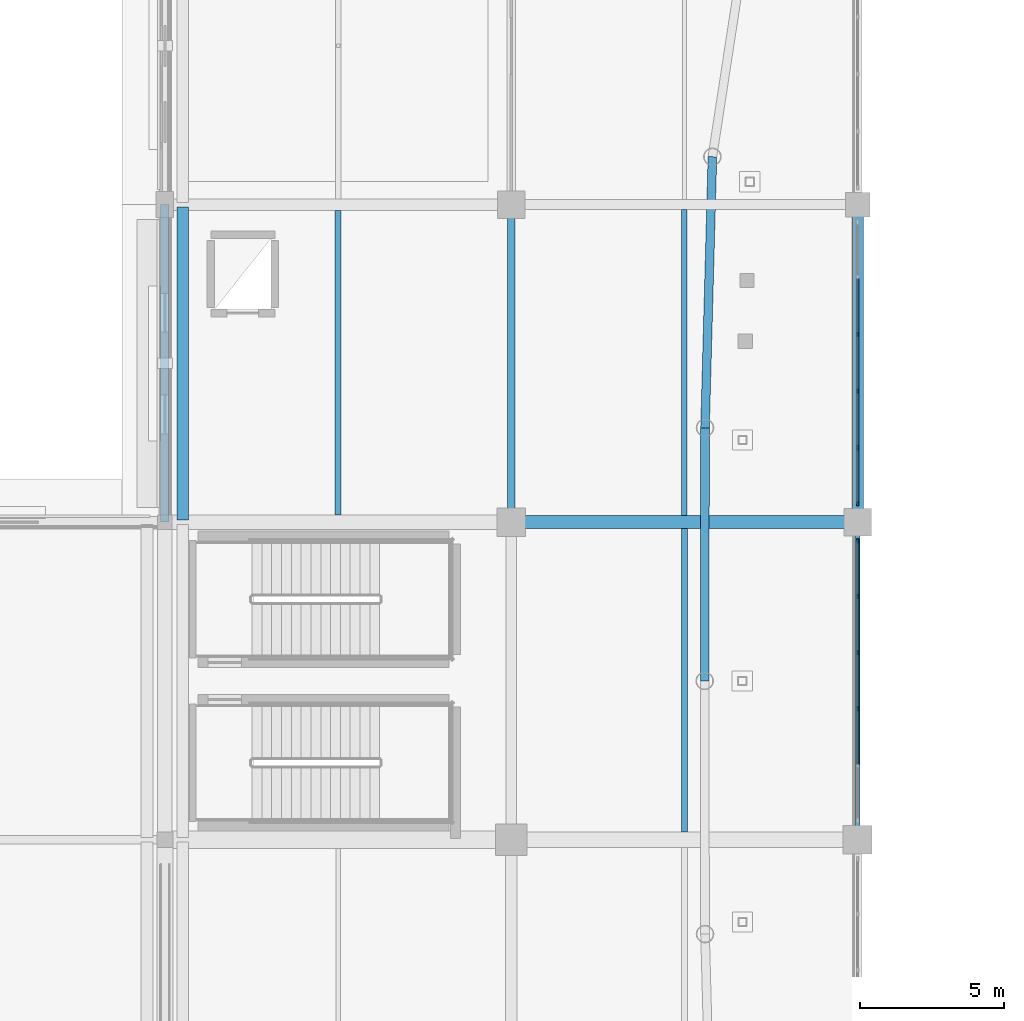
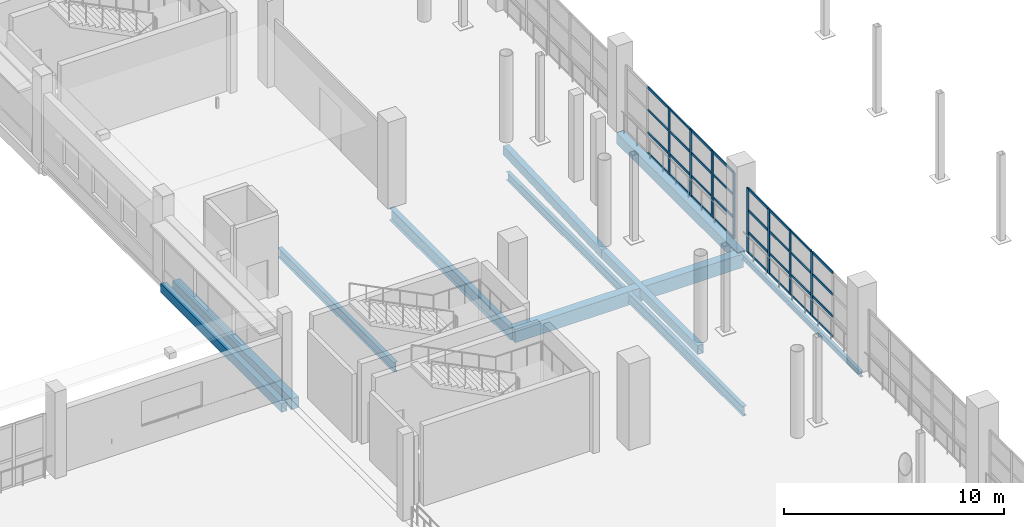
# One storey, part 31 of 143: 40 members, 11 beams, 2 elements without a shape of their own.
"""IFC4 building model written with IfcOpenShell, lengths in metres."""

from ifc_helpers import new_model, si_unit, direction, frame, origin, origin_2d, place, context, subcontext, project, spatial, rectangle, hollow_rectangle, i_section, extrude, material, material_profile, profile_set, type_object, element, aggregate, save


model = new_model("IFC4")

# Units and contexts
model_context = context("Model", 3, precision=1e-05, world=origin(), true_north=direction((0.0, 1.0)))
body_context = subcontext(model_context, "Body", "Model", "MODEL_VIEW")
ifc_project = project(units=[si_unit("LENGTHUNIT", "METRE"), si_unit("AREAUNIT", "SQUARE_METRE"), si_unit("VOLUMEUNIT", "CUBIC_METRE"), si_unit("PLANEANGLEUNIT", "RADIAN"), si_unit("MASSUNIT", "GRAM", prefix="KILO")], contexts=[model_context])

# Site, building, storey
site_placement = place(None, origin())
site = spatial("IfcSite", under=ifc_project, at=site_placement, CompositionType="ELEMENT")
building_placement = place(site_placement, origin())
building = spatial("IfcBuilding", under=site, at=building_placement, Name="Luwafu Chhajja Arena", CompositionType="ELEMENT")
storey_placement = place(building_placement, frame((0.0, 0.0, 5.39990234375)))
storey = spatial("IfcBuildingStorey", under=building, at=storey_placement, Name="L01", CompositionType="ELEMENT", Elevation=5.39990234375)

# Curtain wall, members
ifc_material_1 = material(Name="Anodised bronze aluminium", Category="aluminium")
curtain_wall_type = type_object("IfcCurtainWallType", Name="Bowl Concourse Chord Curtain Wall", PredefinedType="USERDEFINED", material=ifc_material_1)
curtain_wall_1_placement = place(storey_placement, origin())
curtain_wall_1 = element("IfcCurtainWall", 1, at=curtain_wall_1_placement, inside=storey, type_object=curtain_wall_type, Name="L01 Bowl Viewing Curtain Wall CWR-L01-17", ObjectType="CURTAIN WALL", PredefinedType="USERDEFINED")
ifc_material_profile_1 = material_profile(ifc_material_1, rectangle(XDim=0.06005859375, YDim=0.159912109375, at=origin_2d()), Name="CWM 60x160")
ifc_profile_set_1 = profile_set([ifc_material_profile_1], Name="Anodised bronze aluminium")
member_type_1 = type_object("IfcMemberType", Name="Bronze Curtain Wall Mullion 60x160", PredefinedType="MULLION", material=ifc_profile_set_1)
member_1_placement = place(storey_placement, frame((58.0, 48.5380859375, 0.0), z_axis=(0.0, 0.0, 1.0), x_axis=(-1.0, 0.0, 0.0)))
member_1 = element("IfcMember", 2, at=member_1_placement, type_object=member_type_1, Name="CW-01 mullion 3", PredefinedType="MULLION", context=body_context, shape_type="SweptSolid", body=[
    extrude(rectangle(XDim=0.06005859375, YDim=0.159912109375, at=origin_2d()), origin(), (0.0, 0.0, 1.0), 3.590087890625),
])
member_2_placement = place(storey_placement, frame((58.0, 50.487060546875, 0.0), z_axis=(0.0, 0.0, 1.0), x_axis=(-1.0, 0.0, 0.0)))
member_2 = element("IfcMember", 3, at=member_2_placement, type_object=member_type_1, Name="CW-01 mullion 4", PredefinedType="MULLION", context=body_context, shape_type="SweptSolid", body=[
    extrude(rectangle(XDim=0.06005859375, YDim=0.159912109375, at=origin_2d()), origin(), (0.0, 0.0, 1.0), 3.590087890625),
])
member_3_placement = place(storey_placement, frame((58.0, 52.43603515625, 0.0), z_axis=(0.0, 0.0, 1.0), x_axis=(-1.0, 0.0, 0.0)))
member_3 = element("IfcMember", 4, at=member_3_placement, type_object=member_type_1, Name="CW-01 mullion 5", PredefinedType="MULLION", context=body_context, shape_type="SweptSolid", body=[
    extrude(rectangle(XDim=0.06005859375, YDim=0.159912109375, at=origin_2d()), origin(), (0.0, 0.0, 1.0), 3.590087890625),
])
member_4_placement = place(storey_placement, frame((58.0, 54.35498046875, 0.0), z_axis=(0.0, 0.0, 1.0), x_axis=(-1.0, 0.0, 0.0)))
member_4 = element("IfcMember", 5, at=member_4_placement, type_object=member_type_1, Name="CW-01 mullion 6", PredefinedType="MULLION", context=body_context, shape_type="SweptSolid", body=[
    extrude(rectangle(XDim=0.06005859375, YDim=0.159912109375, at=origin_2d()), origin(), (0.0, 0.0, 1.0), 3.590087890625),
])

curtain_wall_2_placement = place(storey_placement, origin())
curtain_wall_2 = element("IfcCurtainWall", 6, at=curtain_wall_2_placement, inside=storey, type_object=curtain_wall_type, Name="L01 Bowl Viewing Curtain Wall CWR-L01-18", ObjectType="CURTAIN WALL", PredefinedType="USERDEFINED")
member_5_placement = place(storey_placement, frame((58.0, 55.64501953125, 0.0), z_axis=(0.0, 0.0, 1.0), x_axis=(-1.0, 0.0, 0.0)))
member_5 = element("IfcMember", 7, at=member_5_placement, type_object=member_type_1, Name="CW-01 mullion 1", PredefinedType="MULLION", context=body_context, shape_type="SweptSolid", body=[
    extrude(rectangle(XDim=0.06005859375, YDim=0.159912109375, at=origin_2d()), origin(), (0.0, 0.0, 1.0), 3.690185546875),
])
member_6_placement = place(storey_placement, frame((58.0, 57.5791015625, 0.0), z_axis=(0.0, 0.0, 1.0), x_axis=(-1.0, 0.0, 0.0)))
member_6 = element("IfcMember", 8, at=member_6_placement, type_object=member_type_1, Name="CW-01 mullion 2", PredefinedType="MULLION", context=body_context, shape_type="SweptSolid", body=[
    extrude(rectangle(XDim=0.06005859375, YDim=0.159912109375, at=origin_2d()), origin(), (0.0, 0.0, 1.0), 3.690185546875),
])
member_7_placement = place(storey_placement, frame((58.0, 59.54296875, 0.0), z_axis=(0.0, 0.0, 1.0), x_axis=(-1.0, 0.0, 0.0)))
member_7 = element("IfcMember", 9, at=member_7_placement, type_object=member_type_1, Name="CW-01 mullion 3", PredefinedType="MULLION", context=body_context, shape_type="SweptSolid", body=[
    extrude(rectangle(XDim=0.06005859375, YDim=0.159912109375, at=origin_2d()), origin(), (0.0, 0.0, 1.0), 3.690185546875),
])
member_8_placement = place(storey_placement, frame((58.0, 61.507080078125, 0.0), z_axis=(0.0, 0.0, 1.0), x_axis=(-1.0, 0.0, 0.0)))
member_8 = element("IfcMember", 10, at=member_8_placement, type_object=member_type_1, Name="CW-01 mullion 4", PredefinedType="MULLION", context=body_context, shape_type="SweptSolid", body=[
    extrude(rectangle(XDim=0.06005859375, YDim=0.159912109375, at=origin_2d()), origin(), (0.0, 0.0, 1.0), 3.690185546875),
])

# Member
ifc_material_profile_2 = material_profile(ifc_material_1, rectangle(XDim=0.06005859375, YDim=0.1298828125, at=origin_2d()), Name="CWT 60x130")
ifc_profile_set_2 = profile_set([ifc_material_profile_2], Name="Anodised bronze aluminium")
member_type_2 = type_object("IfcMemberType", Name="Bronze Curtain Wall Transom 60x130", PredefinedType="USERDEFINED", material=ifc_profile_set_2)
member_9_placement = place(storey_placement, frame((58.0, 46.618896484375, 0.030029296875), z_axis=(0.0, 1.0, 0.0), x_axis=(-1.0, 0.0, 0.0)))
member_9 = element("IfcMember", 11, at=member_9_placement, type_object=member_type_2, Name="CW-01 transom 2.1", ObjectType="TRANSOM", PredefinedType="USERDEFINED", context=body_context, shape_type="SweptSolid", body=[
    extrude(rectangle(XDim=0.06005859375, YDim=0.1298828125, at=origin_2d()), origin(), (0.0, 0.0, 1.0), 1.88916015625),
])

member_10_placement = place(storey_placement, frame((58.0, 46.618896484375, 1.150146484375), z_axis=(0.0, 1.0, 0.0), x_axis=(-1.0, 0.0, 0.0)))
member_10 = element("IfcMember", 12, at=member_10_placement, type_object=member_type_2, Name="CW-01 transom 2.2", ObjectType="TRANSOM", PredefinedType="USERDEFINED", context=body_context, shape_type="SweptSolid", body=[
    extrude(rectangle(XDim=0.06005859375, YDim=0.1298828125, at=origin_2d()), origin(), (0.0, 0.0, 1.0), 1.88916015625),
])

member_11_placement = place(storey_placement, frame((58.0, 46.618896484375, 2.3701171875), z_axis=(0.0, 1.0, 0.0), x_axis=(-1.0, 0.0, 0.0)))
member_11 = element("IfcMember", 13, at=member_11_placement, type_object=member_type_2, Name="CW-01 transom 2.3", ObjectType="TRANSOM", PredefinedType="USERDEFINED", context=body_context, shape_type="SweptSolid", body=[
    extrude(rectangle(XDim=0.06005859375, YDim=0.1298828125, at=origin_2d()), origin(), (0.0, 0.0, 1.0), 1.88916015625),
])

member_12_placement = place(storey_placement, frame((58.0, 46.618896484375, 3.56005859375), z_axis=(0.0, 1.0, 0.0), x_axis=(-1.0, 0.0, 0.0)))
member_12 = element("IfcMember", 14, at=member_12_placement, type_object=member_type_2, Name="CW-01 transom 2.4", ObjectType="TRANSOM", PredefinedType="USERDEFINED", context=body_context, shape_type="SweptSolid", body=[
    extrude(rectangle(XDim=0.06005859375, YDim=0.1298828125, at=origin_2d()), origin(), (0.0, 0.0, 1.0), 1.88916015625),
])

member_13_placement = place(storey_placement, frame((58.0, 48.568115234375, 0.030029296875), z_axis=(0.0, 1.0, 0.0), x_axis=(-1.0, 0.0, 0.0)))
member_13 = element("IfcMember", 15, at=member_13_placement, type_object=member_type_2, Name="CW-01 transom 3.1", ObjectType="TRANSOM", PredefinedType="USERDEFINED", context=body_context, shape_type="SweptSolid", body=[
    extrude(rectangle(XDim=0.06005859375, YDim=0.1298828125, at=origin_2d()), origin(), (0.0, 0.0, 1.0), 1.888916015625),
])

member_14_placement = place(storey_placement, frame((58.0, 48.568115234375, 1.150146484375), z_axis=(0.0, 1.0, 0.0), x_axis=(-1.0, 0.0, 0.0)))
member_14 = element("IfcMember", 16, at=member_14_placement, type_object=member_type_2, Name="CW-01 transom 3.2", ObjectType="TRANSOM", PredefinedType="USERDEFINED", context=body_context, shape_type="SweptSolid", body=[
    extrude(rectangle(XDim=0.06005859375, YDim=0.1298828125, at=origin_2d()), origin(), (0.0, 0.0, 1.0), 1.888916015625),
])

member_15_placement = place(storey_placement, frame((58.0, 48.568115234375, 2.3701171875), z_axis=(0.0, 1.0, 0.0), x_axis=(-1.0, 0.0, 0.0)))
member_15 = element("IfcMember", 17, at=member_15_placement, type_object=member_type_2, Name="CW-01 transom 3.3", ObjectType="TRANSOM", PredefinedType="USERDEFINED", context=body_context, shape_type="SweptSolid", body=[
    extrude(rectangle(XDim=0.06005859375, YDim=0.1298828125, at=origin_2d()), origin(), (0.0, 0.0, 1.0), 1.888916015625),
])

member_16_placement = place(storey_placement, frame((58.0, 48.568115234375, 3.56005859375), z_axis=(0.0, 1.0, 0.0), x_axis=(-1.0, 0.0, 0.0)))
member_16 = element("IfcMember", 18, at=member_16_placement, type_object=member_type_2, Name="CW-01 transom 3.4", ObjectType="TRANSOM", PredefinedType="USERDEFINED", context=body_context, shape_type="SweptSolid", body=[
    extrude(rectangle(XDim=0.06005859375, YDim=0.1298828125, at=origin_2d()), origin(), (0.0, 0.0, 1.0), 1.888916015625),
])

member_17_placement = place(storey_placement, frame((58.0, 50.51708984375, 0.030029296875), z_axis=(0.0, 1.0, 0.0), x_axis=(-1.0, 0.0, 0.0)))
member_17 = element("IfcMember", 19, at=member_17_placement, type_object=member_type_2, Name="CW-01 transom 4.1", ObjectType="TRANSOM", PredefinedType="USERDEFINED", context=body_context, shape_type="SweptSolid", body=[
    extrude(rectangle(XDim=0.06005859375, YDim=0.1298828125, at=origin_2d()), origin(), (0.0, 0.0, 1.0), 1.888916015625),
])

member_18_placement = place(storey_placement, frame((58.0, 50.51708984375, 1.150146484375), z_axis=(0.0, 1.0, 0.0), x_axis=(-1.0, 0.0, 0.0)))
member_18 = element("IfcMember", 20, at=member_18_placement, type_object=member_type_2, Name="CW-01 transom 4.2", ObjectType="TRANSOM", PredefinedType="USERDEFINED", context=body_context, shape_type="SweptSolid", body=[
    extrude(rectangle(XDim=0.06005859375, YDim=0.1298828125, at=origin_2d()), origin(), (0.0, 0.0, 1.0), 1.888916015625),
])

member_19_placement = place(storey_placement, frame((58.0, 50.51708984375, 2.3701171875), z_axis=(0.0, 1.0, 0.0), x_axis=(-1.0, 0.0, 0.0)))
member_19 = element("IfcMember", 21, at=member_19_placement, type_object=member_type_2, Name="CW-01 transom 4.3", ObjectType="TRANSOM", PredefinedType="USERDEFINED", context=body_context, shape_type="SweptSolid", body=[
    extrude(rectangle(XDim=0.06005859375, YDim=0.1298828125, at=origin_2d()), origin(), (0.0, 0.0, 1.0), 1.888916015625),
])

member_20_placement = place(storey_placement, frame((58.0, 50.51708984375, 3.56005859375), z_axis=(0.0, 1.0, 0.0), x_axis=(-1.0, 0.0, 0.0)))
member_20 = element("IfcMember", 22, at=member_20_placement, type_object=member_type_2, Name="CW-01 transom 4.4", ObjectType="TRANSOM", PredefinedType="USERDEFINED", context=body_context, shape_type="SweptSolid", body=[
    extrude(rectangle(XDim=0.06005859375, YDim=0.1298828125, at=origin_2d()), origin(), (0.0, 0.0, 1.0), 1.888916015625),
])

member_21_placement = place(storey_placement, frame((58.0, 52.466064453125, 0.030029296875), z_axis=(0.0, 1.0, 0.0), x_axis=(-1.0, 0.0, 0.0)))
member_21 = element("IfcMember", 23, at=member_21_placement, type_object=member_type_2, Name="CW-01 transom 5.1", ObjectType="TRANSOM", PredefinedType="USERDEFINED", context=body_context, shape_type="SweptSolid", body=[
    extrude(rectangle(XDim=0.06005859375, YDim=0.1298828125, at=origin_2d()), origin(), (0.0, 0.0, 1.0), 1.85888671875),
])

member_22_placement = place(storey_placement, frame((58.0, 52.466064453125, 1.150146484375), z_axis=(0.0, 1.0, 0.0), x_axis=(-1.0, 0.0, 0.0)))
member_22 = element("IfcMember", 24, at=member_22_placement, type_object=member_type_2, Name="CW-01 transom 5.2", ObjectType="TRANSOM", PredefinedType="USERDEFINED", context=body_context, shape_type="SweptSolid", body=[
    extrude(rectangle(XDim=0.06005859375, YDim=0.1298828125, at=origin_2d()), origin(), (0.0, 0.0, 1.0), 1.85888671875),
])

member_23_placement = place(storey_placement, frame((58.0, 52.466064453125, 2.3701171875), z_axis=(0.0, 1.0, 0.0), x_axis=(-1.0, 0.0, 0.0)))
member_23 = element("IfcMember", 25, at=member_23_placement, type_object=member_type_2, Name="CW-01 transom 5.3", ObjectType="TRANSOM", PredefinedType="USERDEFINED", context=body_context, shape_type="SweptSolid", body=[
    extrude(rectangle(XDim=0.06005859375, YDim=0.1298828125, at=origin_2d()), origin(), (0.0, 0.0, 1.0), 1.85888671875),
])

member_24_placement = place(storey_placement, frame((58.0, 52.466064453125, 3.56005859375), z_axis=(0.0, 1.0, 0.0), x_axis=(-1.0, 0.0, 0.0)))
member_24 = element("IfcMember", 26, at=member_24_placement, type_object=member_type_2, Name="CW-01 transom 5.4", ObjectType="TRANSOM", PredefinedType="USERDEFINED", context=body_context, shape_type="SweptSolid", body=[
    extrude(rectangle(XDim=0.06005859375, YDim=0.1298828125, at=origin_2d()), origin(), (0.0, 0.0, 1.0), 1.85888671875),
])

aggregate(curtain_wall_1, [member_1, member_2, member_3, member_4, member_9, member_10, member_11, member_12, member_13, member_14, member_15, member_16, member_17, member_18, member_19, member_20, member_21, member_22, member_23, member_24])

member_25_placement = place(storey_placement, frame((58.0, 55.675048828125, 0.030029296875), z_axis=(0.0, 1.0, 0.0), x_axis=(-1.0, 0.0, 0.0)))
member_25 = element("IfcMember", 27, at=member_25_placement, type_object=member_type_2, Name="CW-01 transom 1.1", ObjectType="TRANSOM", PredefinedType="USERDEFINED", context=body_context, shape_type="SweptSolid", body=[
    extrude(rectangle(XDim=0.06005859375, YDim=0.1298828125, at=origin_2d()), origin(), (0.0, 0.0, 1.0), 1.8740234375),
])

member_26_placement = place(storey_placement, frame((58.0, 55.675048828125, 1.150146484375), z_axis=(0.0, 1.0, 0.0), x_axis=(-1.0, 0.0, 0.0)))
member_26 = element("IfcMember", 28, at=member_26_placement, type_object=member_type_2, Name="CW-01 transom 1.2", ObjectType="TRANSOM", PredefinedType="USERDEFINED", context=body_context, shape_type="SweptSolid", body=[
    extrude(rectangle(XDim=0.06005859375, YDim=0.1298828125, at=origin_2d()), origin(), (0.0, 0.0, 1.0), 1.8740234375),
])

member_27_placement = place(storey_placement, frame((58.0, 55.675048828125, 2.420166015625), z_axis=(0.0, 1.0, 0.0), x_axis=(-1.0, 0.0, 0.0)))
member_27 = element("IfcMember", 29, at=member_27_placement, type_object=member_type_2, Name="CW-01 transom 1.3", ObjectType="TRANSOM", PredefinedType="USERDEFINED", context=body_context, shape_type="SweptSolid", body=[
    extrude(rectangle(XDim=0.06005859375, YDim=0.1298828125, at=origin_2d()), origin(), (0.0, 0.0, 1.0), 1.8740234375),
])

member_28_placement = place(storey_placement, frame((58.0, 55.675048828125, 3.66015625), z_axis=(0.0, 1.0, 0.0), x_axis=(-1.0, 0.0, 0.0)))
member_28 = element("IfcMember", 30, at=member_28_placement, type_object=member_type_2, Name="CW-01 transom 1.4", ObjectType="TRANSOM", PredefinedType="USERDEFINED", context=body_context, shape_type="SweptSolid", body=[
    extrude(rectangle(XDim=0.06005859375, YDim=0.1298828125, at=origin_2d()), origin(), (0.0, 0.0, 1.0), 1.8740234375),
])

member_29_placement = place(storey_placement, frame((58.0, 57.60888671875, 0.030029296875), z_axis=(0.0, 1.0, 0.0), x_axis=(-1.0, 0.0, 0.0)))
member_29 = element("IfcMember", 31, at=member_29_placement, type_object=member_type_2, Name="CW-01 transom 2.1", ObjectType="TRANSOM", PredefinedType="USERDEFINED", context=body_context, shape_type="SweptSolid", body=[
    extrude(rectangle(XDim=0.06005859375, YDim=0.1298828125, at=origin_2d()), origin(), (0.0, 0.0, 1.0), 1.904052734375),
])

member_30_placement = place(storey_placement, frame((58.0, 57.60888671875, 1.150146484375), z_axis=(0.0, 1.0, 0.0), x_axis=(-1.0, 0.0, 0.0)))
member_30 = element("IfcMember", 32, at=member_30_placement, type_object=member_type_2, Name="CW-01 transom 2.2", ObjectType="TRANSOM", PredefinedType="USERDEFINED", context=body_context, shape_type="SweptSolid", body=[
    extrude(rectangle(XDim=0.06005859375, YDim=0.1298828125, at=origin_2d()), origin(), (0.0, 0.0, 1.0), 1.904052734375),
])

member_31_placement = place(storey_placement, frame((58.0, 57.60888671875, 2.420166015625), z_axis=(0.0, 1.0, 0.0), x_axis=(-1.0, 0.0, 0.0)))
member_31 = element("IfcMember", 33, at=member_31_placement, type_object=member_type_2, Name="CW-01 transom 2.3", ObjectType="TRANSOM", PredefinedType="USERDEFINED", context=body_context, shape_type="SweptSolid", body=[
    extrude(rectangle(XDim=0.06005859375, YDim=0.1298828125, at=origin_2d()), origin(), (0.0, 0.0, 1.0), 1.904052734375),
])

member_32_placement = place(storey_placement, frame((58.0, 57.60888671875, 3.66015625), z_axis=(0.0, 1.0, 0.0), x_axis=(-1.0, 0.0, 0.0)))
member_32 = element("IfcMember", 34, at=member_32_placement, type_object=member_type_2, Name="CW-01 transom 2.4", ObjectType="TRANSOM", PredefinedType="USERDEFINED", context=body_context, shape_type="SweptSolid", body=[
    extrude(rectangle(XDim=0.06005859375, YDim=0.1298828125, at=origin_2d()), origin(), (0.0, 0.0, 1.0), 1.904052734375),
])

member_33_placement = place(storey_placement, frame((58.0, 59.572998046875, 0.030029296875), z_axis=(0.0, 1.0, 0.0), x_axis=(-1.0, 0.0, 0.0)))
member_33 = element("IfcMember", 35, at=member_33_placement, type_object=member_type_2, Name="CW-01 transom 3.1", ObjectType="TRANSOM", PredefinedType="USERDEFINED", context=body_context, shape_type="SweptSolid", body=[
    extrude(rectangle(XDim=0.06005859375, YDim=0.1298828125, at=origin_2d()), origin(), (0.0, 0.0, 1.0), 1.904052734375),
])

member_34_placement = place(storey_placement, frame((58.0, 59.572998046875, 1.150146484375), z_axis=(0.0, 1.0, 0.0), x_axis=(-1.0, 0.0, 0.0)))
member_34 = element("IfcMember", 36, at=member_34_placement, type_object=member_type_2, Name="CW-01 transom 3.2", ObjectType="TRANSOM", PredefinedType="USERDEFINED", context=body_context, shape_type="SweptSolid", body=[
    extrude(rectangle(XDim=0.06005859375, YDim=0.1298828125, at=origin_2d()), origin(), (0.0, 0.0, 1.0), 1.904052734375),
])

member_35_placement = place(storey_placement, frame((58.0, 59.572998046875, 2.420166015625), z_axis=(0.0, 1.0, 0.0), x_axis=(-1.0, 0.0, 0.0)))
member_35 = element("IfcMember", 37, at=member_35_placement, type_object=member_type_2, Name="CW-01 transom 3.3", ObjectType="TRANSOM", PredefinedType="USERDEFINED", context=body_context, shape_type="SweptSolid", body=[
    extrude(rectangle(XDim=0.06005859375, YDim=0.1298828125, at=origin_2d()), origin(), (0.0, 0.0, 1.0), 1.904052734375),
])

member_36_placement = place(storey_placement, frame((58.0, 59.572998046875, 3.66015625), z_axis=(0.0, 1.0, 0.0), x_axis=(-1.0, 0.0, 0.0)))
member_36 = element("IfcMember", 38, at=member_36_placement, type_object=member_type_2, Name="CW-01 transom 3.4", ObjectType="TRANSOM", PredefinedType="USERDEFINED", context=body_context, shape_type="SweptSolid", body=[
    extrude(rectangle(XDim=0.06005859375, YDim=0.1298828125, at=origin_2d()), origin(), (0.0, 0.0, 1.0), 1.904052734375),
])

member_37_placement = place(storey_placement, frame((58.0, 61.537109375, 0.030029296875), z_axis=(0.0, 1.0, 0.0), x_axis=(-1.0, 0.0, 0.0)))
member_37 = element("IfcMember", 39, at=member_37_placement, type_object=member_type_2, Name="CW-01 transom 4.1", ObjectType="TRANSOM", PredefinedType="USERDEFINED", context=body_context, shape_type="SweptSolid", body=[
    extrude(rectangle(XDim=0.06005859375, YDim=0.1298828125, at=origin_2d()), origin(), (0.0, 0.0, 1.0), 1.90380859375),
])

member_38_placement = place(storey_placement, frame((58.0, 61.537109375, 1.150146484375), z_axis=(0.0, 1.0, 0.0), x_axis=(-1.0, 0.0, 0.0)))
member_38 = element("IfcMember", 40, at=member_38_placement, type_object=member_type_2, Name="CW-01 transom 4.2", ObjectType="TRANSOM", PredefinedType="USERDEFINED", context=body_context, shape_type="SweptSolid", body=[
    extrude(rectangle(XDim=0.06005859375, YDim=0.1298828125, at=origin_2d()), origin(), (0.0, 0.0, 1.0), 1.90380859375),
])

member_39_placement = place(storey_placement, frame((58.0, 61.537109375, 2.420166015625), z_axis=(0.0, 1.0, 0.0), x_axis=(-1.0, 0.0, 0.0)))
member_39 = element("IfcMember", 41, at=member_39_placement, type_object=member_type_2, Name="CW-01 transom 4.3", ObjectType="TRANSOM", PredefinedType="USERDEFINED", context=body_context, shape_type="SweptSolid", body=[
    extrude(rectangle(XDim=0.06005859375, YDim=0.1298828125, at=origin_2d()), origin(), (0.0, 0.0, 1.0), 1.90380859375),
])

member_40_placement = place(storey_placement, frame((58.0, 61.537109375, 3.66015625), z_axis=(0.0, 1.0, 0.0), x_axis=(-1.0, 0.0, 0.0)))
member_40 = element("IfcMember", 42, at=member_40_placement, type_object=member_type_2, Name="CW-01 transom 4.4", ObjectType="TRANSOM", PredefinedType="USERDEFINED", context=body_context, shape_type="SweptSolid", body=[
    extrude(rectangle(XDim=0.06005859375, YDim=0.1298828125, at=origin_2d()), origin(), (0.0, 0.0, 1.0), 1.90380859375),
])

aggregate(curtain_wall_2, [member_5, member_6, member_7, member_8, member_25, member_26, member_27, member_28, member_29, member_30, member_31, member_32, member_33, member_34, member_35, member_36, member_37, member_38, member_39, member_40])

# Beams
ifc_material_2 = material(Name="Steel S355", Category="steel")
ifc_material_profile_3 = material_profile(ifc_material_2, i_section(OverallWidth=0.165771484375, OverallDepth=0.306640625, WebThickness=0.006591796875, FlangeThickness=0.01171875, at=origin_2d()), Name="UB 305x165x46")
ifc_profile_set_3 = profile_set([ifc_material_profile_3], Name="Steel S355")
beam_type_1 = type_object("IfcBeamType", Name="Concourse Edge Spandrel Beam UB 305x165x46", PredefinedType="SPANDREL", material=ifc_profile_set_3)
beam_1_placement = place(storey_placement, frame((58.0, 44.0, -0.483154296875), z_axis=(0.0, 1.0, 0.0), x_axis=(-1.0, 0.0, 0.0)))
element("IfcBeam", 43, at=beam_1_placement, inside=storey, type_object=beam_type_1, Name="L01 Grid Beam 6/E-F", PredefinedType="SPANDREL", context=body_context, shape_type="SweptSolid", body=[
    extrude(i_section(OverallWidth=0.165771484375, OverallDepth=0.306640625, WebThickness=0.006591796875, FlangeThickness=0.01171875, at=origin_2d()), origin(), (0.0, 0.0, 1.0), 11.0),
])
ifc_material_profile_4 = material_profile(ifc_material_2, i_section(OverallWidth=0.19140625, OverallDepth=0.4599609375, WebThickness=0.010009765625, FlangeThickness=0.01611328125, at=origin_2d()), Name="UB 457x191x82")
ifc_profile_set_4 = profile_set([ifc_material_profile_4], Name="Steel S355")
beam_type_2 = type_object("IfcBeamType", Name="Floor Joist UB 457x191x82", PredefinedType="JOIST", material=ifc_profile_set_4)
beam_2_placement = place(storey_placement, frame((52.0, 55.22509765625, -0.559814453125), z_axis=(0.0, 1.0, 0.0), x_axis=(-1.0, 0.0, 0.0)))
element("IfcBeam", 44, at=beam_2_placement, inside=storey, type_object=beam_type_2, Name="L01 Secondary Joist 5-6/F", PredefinedType="JOIST", context=body_context, shape_type="SweptSolid", body=[
    extrude(i_section(OverallWidth=0.19140625, OverallDepth=0.4599609375, WebThickness=0.010009765625, FlangeThickness=0.01611328125, at=origin_2d()), origin(), (0.0, 0.0, 1.0), 10.599853515625),
])
ifc_material_profile_5 = material_profile(ifc_material_2, i_section(OverallWidth=0.209228515625, OverallDepth=0.533203125, WebThickness=0.010009765625, FlangeThickness=0.015625, at=origin_2d()), Name="UB 533x210x92")
ifc_profile_set_5 = profile_set([ifc_material_profile_5], Name="Steel S355")
beam_type_3 = type_object("IfcBeamType", Name="Floor Joist UB 533x210x92", PredefinedType="JOIST", material=ifc_profile_set_5)
beam_3_placement = place(storey_placement, frame((40.0, 55.25, -0.596435546875), z_axis=(0.0, 1.0, 0.0), x_axis=(-1.0, 0.0, 0.0)))
element("IfcBeam", 45, at=beam_3_placement, inside=storey, type_object=beam_type_3, Name="L01 Secondary Joist 4-5/F", PredefinedType="JOIST", context=body_context, shape_type="SweptSolid", body=[
    extrude(i_section(OverallWidth=0.209228515625, OverallDepth=0.533203125, WebThickness=0.010009765625, FlangeThickness=0.015625, at=origin_2d()), origin(), (0.0, 0.0, 1.0), 10.550048828125),
])
beam_4_placement = place(storey_placement, frame((52.0, 44.27490234375, -0.596435546875), z_axis=(0.0, 1.0, 0.0), x_axis=(-1.0, 0.0, 0.0)))
element("IfcBeam", 46, at=beam_4_placement, inside=storey, type_object=beam_type_3, Name="L01 Secondary Joist 5-6/E", PredefinedType="JOIST", context=body_context, shape_type="SweptSolid", body=[
    extrude(i_section(OverallWidth=0.209228515625, OverallDepth=0.533203125, WebThickness=0.010009765625, FlangeThickness=0.015625, at=origin_2d()), origin(), (0.0, 0.0, 1.0), 10.5),
])
ifc_material_profile_6 = material_profile(ifc_material_2, hollow_rectangle(XDim=0.300048828125, YDim=0.5, WallThickness=0.02001953125, at=origin_2d()), Name="RHS 500x300x20")
ifc_profile_set_6 = profile_set([ifc_material_profile_6], Name="Steel S355")
beam_type_4 = type_object("IfcBeamType", Name="Pleated Drum Spandrel Beam RHS 500x300", PredefinedType="SPANDREL", material=ifc_profile_set_6)
beam_5_placement = place(storey_placement, frame((34.0, 55.0, -0.579833984375), z_axis=(0.0, 1.0, 0.0), x_axis=(-1.0, 0.0, 0.0)))
element("IfcBeam", 47, at=beam_5_placement, inside=storey, type_object=beam_type_4, Name="L01 Grid Beam 4/F-G", PredefinedType="SPANDREL", context=body_context, shape_type="SweptSolid", body=[
    extrude(hollow_rectangle(XDim=0.300048828125, YDim=0.5, WallThickness=0.02001953125, at=origin_2d()), origin(), (0.0, 0.0, 1.0), 11.0),
])
beam_6_placement = place(storey_placement, frame((52.968017578125, 67.6611328125, -0.579833984375), z_axis=(-0.02720805866, -0.999629792245, 0.0), x_axis=(0.999629792245, -0.02720805866, 0.0)))
element("IfcBeam", 48, at=beam_6_placement, inside=storey, type_object=beam_type_4, Name="L01 Drum Ring Spandrel D15-D16", PredefinedType="SPANDREL", context=body_context, shape_type="SweptSolid", body=[
    extrude(hollow_rectangle(XDim=0.300048828125, YDim=0.5, WallThickness=0.02001953125, at=origin_2d()), origin(), (0.0, 0.0, 1.0), 9.394775390625),
])
beam_7_placement = place(storey_placement, frame((52.71240234375, 58.269775390625, -0.579833984375), z_axis=(-0.001419780869, -0.999998992111, 0.0), x_axis=(0.999998992111, -0.001419780869, 0.0)))
element("IfcBeam", 49, at=beam_7_placement, inside=storey, type_object=beam_type_4, Name="L01 Drum Ring Spandrel D16-D17", PredefinedType="SPANDREL", context=body_context, shape_type="SweptSolid", body=[
    extrude(hollow_rectangle(XDim=0.300048828125, YDim=0.5, WallThickness=0.02001953125, at=origin_2d()), origin(), (0.0, 0.0, 1.0), 8.769775390625),
])
ifc_material_3 = material(Name="Concrete C35/45", Category="concrete")
ifc_material_profile_7 = material_profile(ifc_material_3, rectangle(XDim=0.39990234375, YDim=0.60009765625, at=origin_2d()), Name="RC 400x600")
ifc_profile_set_7 = profile_set([ifc_material_profile_7], Name="Concrete C35/45")
beam_type_5 = type_object("IfcBeamType", Name="Podium Perimeter Spandrel RC 400x600", PredefinedType="SPANDREL", material=ifc_profile_set_7)
beam_8_placement = place(storey_placement, frame((58.0, 55.0, -0.6298828125), z_axis=(0.0, 1.0, 0.0), x_axis=(-1.0, 0.0, 0.0)))
element("IfcBeam", 50, at=beam_8_placement, inside=storey, type_object=beam_type_5, Name="L01 Grid Beam 6/F-G", PredefinedType="SPANDREL", context=body_context, shape_type="SweptSolid", body=[
    extrude(rectangle(XDim=0.39990234375, YDim=0.60009765625, at=origin_2d()), origin(), (0.0, 0.0, 1.0), 11.0),
])
beam_9_placement = place(storey_placement, frame((34.6201171875, 55.080078125, -0.6298828125), z_axis=(0.0, 1.0, 0.0), x_axis=(-1.0, 0.0, 0.0)))
element("IfcBeam", 51, at=beam_9_placement, inside=storey, type_object=beam_type_5, Name="L01 Movement Joint MJ1E Seat Girder 05", PredefinedType="SPANDREL", context=body_context, shape_type="SweptSolid", body=[
    extrude(rectangle(XDim=0.39990234375, YDim=0.60009765625, at=origin_2d()), origin(), (0.0, 0.0, 1.0), 10.83984375),
])
ifc_material_profile_8 = material_profile(ifc_material_2, i_section(OverallWidth=0.253662109375, OverallDepth=0.68359375, WebThickness=0.012451171875, FlangeThickness=0.01904296875, at=origin_2d()), Name="UB 686x254x140")
ifc_profile_set_8 = profile_set([ifc_material_profile_8], Name="Steel S355")
beam_type_6 = type_object("IfcBeamType", Name="Steel Concourse Girder UB 686x254x140", PredefinedType="BEAM", material=ifc_profile_set_8)
beam_10_placement = place(storey_placement, frame((46.0, 55.0, -0.671630859375), z_axis=(0.0, 1.0, 0.0), x_axis=(-1.0, 0.0, 0.0)))
element("IfcBeam", 52, at=beam_10_placement, inside=storey, type_object=beam_type_6, Name="L01 Grid Beam 5/F-G", PredefinedType="BEAM", context=body_context, shape_type="SweptSolid", body=[
    extrude(i_section(OverallWidth=0.253662109375, OverallDepth=0.68359375, WebThickness=0.012451171875, FlangeThickness=0.01904296875, at=origin_2d()), origin(), (0.0, 0.0, 1.0), 11.0),
])
ifc_material_profile_9 = material_profile(ifc_material_3, rectangle(XDim=0.449951171875, YDim=0.75, at=origin_2d()), Name="RC 450x750")
ifc_profile_set_9 = profile_set([ifc_material_profile_9], Name="Concrete C35/45")
beam_type_7 = type_object("IfcBeamType", Name="Wing Primary Beam RC 450x750", PredefinedType="BEAM", material=ifc_profile_set_9)
beam_11_placement = place(storey_placement, frame((46.0, 55.0, -0.704833984375), z_axis=(1.0, 0.0, 0.0), x_axis=(0.0, 1.0, 0.0)))
element("IfcBeam", 53, at=beam_11_placement, inside=storey, type_object=beam_type_7, Name="L01 Grid Beam 5-6/F", PredefinedType="BEAM", context=body_context, shape_type="SweptSolid", body=[
    extrude(rectangle(XDim=0.449951171875, YDim=0.75, at=origin_2d()), origin(), (0.0, 0.0, 1.0), 12.0),
])

save(model, "model.ifc")
